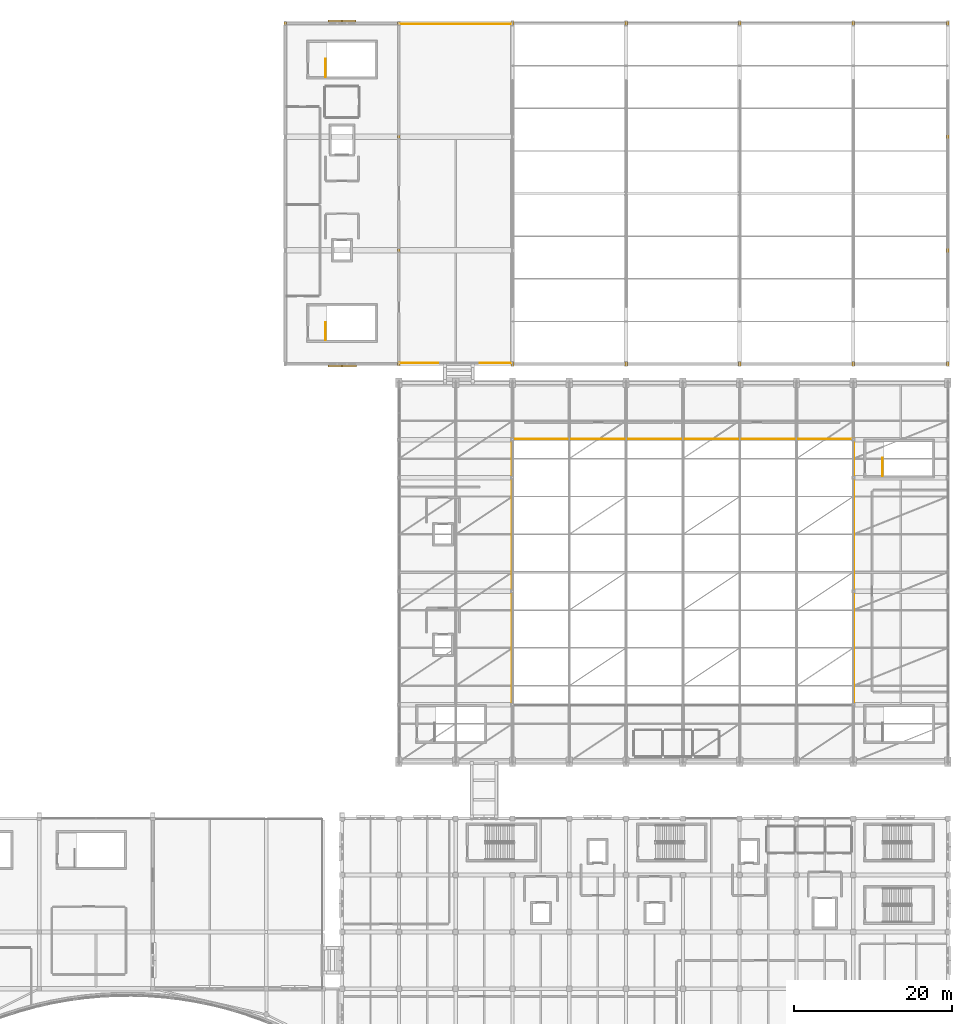
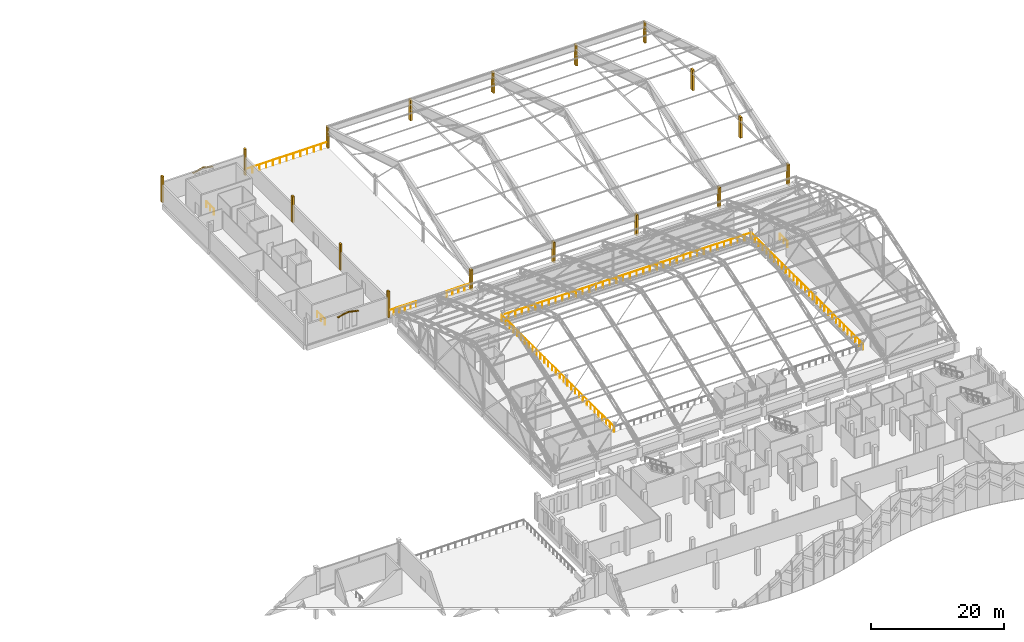
# One storey, part 115 of 116: 21 coverings, 9 railings.
"""IFC4 building model written with IfcOpenShell, lengths in metres."""

from ifc_helpers import new_model, si_unit, direction, frame, origin, origin_2d, place, context, subcontext, project, spatial, polyline, circle, outline, extrude, material, layer, layer_set, type_object, element, save


model = new_model("IFC4")

# Units and contexts
model_context = context("Model", 3, precision=1e-05, world=origin(), true_north=direction((0.0, 1.0)))
body_context = subcontext(model_context, "Body", "Model", "MODEL_VIEW")
ifc_project = project(units=[si_unit("LENGTHUNIT", "METRE"), si_unit("AREAUNIT", "SQUARE_METRE"), si_unit("VOLUMEUNIT", "CUBIC_METRE"), si_unit("PLANEANGLEUNIT", "RADIAN"), si_unit("MASSUNIT", "GRAM", prefix="KILO")], contexts=[model_context])

# Site, building, storey
site_placement = place(None, origin())
site = spatial("IfcSite", under=ifc_project, at=site_placement, CompositionType="ELEMENT")
building_placement = place(site_placement, origin())
building = spatial("IfcBuilding", under=site, at=building_placement, Name="Cendralis Lancet Convention Centre", CompositionType="ELEMENT")
storey_placement = place(building_placement, frame((0.0, 0.0, 15.0)))
storey = spatial("IfcBuildingStorey", under=building, at=storey_placement, Name="L03", CompositionType="ELEMENT", Elevation=15.0)

# Coverings
ifc_material_1 = material(Name="Warm buff sandstone chevron cassette", Category="masonry")
ifc_layer = layer(ifc_material_1, 0.06005859375, Name="Warm buff sandstone chevron cassette")
ifc_layer_set = layer_set([ifc_layer], Name="Warm buff sandstone chevron cassette")
covering_type = type_object("IfcCoveringType", Name="ARC-CV-CLAD1", PredefinedType="CLADDING", material=ifc_layer_set)
for number, where, z_axis, x_axis, name in (
    (1, (130.239990234375, 137.2099609375, 3.27001953125), (-0.214866981087, 0.0, 0.97664332304), (0.0, -1.0, 0.0), "L03 Gothic Pointed Lancet Hood-Mould #0219L"),
    (2, (132.010009765625, 137.2099609375, 3.655029296875), (0.214866981087, 0.0, 0.97664332304), (0.0, -1.0, 0.0), "L03 Gothic Pointed Lancet Hood-Mould #0220R"),
):
    element("IfcCovering", number, at=place(storey_placement, frame(where, z_axis=z_axis, x_axis=x_axis)), inside=storey, type_object=covering_type, Name=name, PredefinedType="CLADDING", context=body_context, shape_type="SweptSolid", body=[
        extrude(outline(polyline([(0.0, 0.0), (0.284912109375, 0.0), (0.284912109375, 1.791851701348808), (0.0, 1.791851701348808), (0.0, 0.0)])), origin(), (0.0, 0.0, -1.0), 0.090087890625),
    ])
for number, where, z_axis, x_axis, name in (
    (3, (133.800048828125, 93.18994140625, 3.27001953125), (0.210275726475, 0.0, 0.977642122075), (0.0, 1.0, 0.0), "L03 Gothic Pointed Lancet Hood-Mould #0221L"),
    (4, (131.989990234375, 93.18994140625, 3.655029296875), (-0.210275726475, 0.0, 0.977642122075), (0.0, 1.0, 0.0), "L03 Gothic Pointed Lancet Hood-Mould #0222R"),
):
    element("IfcCovering", number, at=place(storey_placement, frame(where, z_axis=z_axis, x_axis=x_axis)), inside=storey, type_object=covering_type, Name=name, PredefinedType="CLADDING", context=body_context, shape_type="SweptSolid", body=[
        extrude(outline(polyline([(0.0, 0.0), (0.28515625, 0.0), (0.28515625, 1.8309757958265032), (0.0, 1.8309757958265032), (0.0, 0.0)])), origin(), (0.0, 0.0, -1.0), 0.090087890625),
    ])
covering_1_placement = place(storey_placement, origin())
element("IfcCovering", 5, at=covering_1_placement, inside=storey, type_object=covering_type, Name="Exterior Column Stone Fire-Casing L03 #044", PredefinedType="CLADDING", context=body_context, shape_type="SweptSolid", body=[
    extrude(outline(polyline([(124.637939453125, 136.56298828125), (124.9619140625, 136.56298828125), (124.9619140625, 137.037109375), (124.637939453125, 137.037109375), (124.637939453125, 136.56298828125)])), origin(), (0.0, 0.0, 1.0), 4.800048828125),
])
covering_2_placement = place(storey_placement, origin())
element("IfcCovering", 6, at=covering_2_placement, inside=storey, type_object=covering_type, Name="Exterior Column Stone Fire-Casing L03 #047", PredefinedType="CLADDING", context=body_context, shape_type="SweptSolid", body=[
    extrude(outline(polyline([(139.0380859375, 93.363037109375), (139.362060546875, 93.363037109375), (139.362060546875, 93.8369140625), (139.0380859375, 93.8369140625), (139.0380859375, 93.363037109375)])), origin(), (0.0, 0.0, 1.0), 4.800048828125),
])
covering_3_placement = place(storey_placement, origin())
element("IfcCovering", 7, at=covering_3_placement, inside=storey, type_object=covering_type, Name="Exterior Column Stone Fire-Casing L03 #048", PredefinedType="CLADDING", context=body_context, shape_type="SweptSolid", body=[
    extrude(outline(polyline([(139.0380859375, 107.762939453125), (139.362060546875, 107.762939453125), (139.362060546875, 108.237060546875), (139.0380859375, 108.237060546875), (139.0380859375, 107.762939453125)])), origin(), (0.0, 0.0, 1.0), 4.800048828125),
])
covering_4_placement = place(storey_placement, origin())
element("IfcCovering", 8, at=covering_4_placement, inside=storey, type_object=covering_type, Name="Exterior Column Stone Fire-Casing L03 #049", PredefinedType="CLADDING", context=body_context, shape_type="SweptSolid", body=[
    extrude(outline(polyline([(139.0380859375, 122.1630859375), (139.362060546875, 122.1630859375), (139.362060546875, 122.636962890625), (139.0380859375, 122.636962890625), (139.0380859375, 122.1630859375)])), origin(), (0.0, 0.0, 1.0), 4.800048828125),
])
covering_5_placement = place(storey_placement, origin())
element("IfcCovering", 9, at=covering_5_placement, inside=storey, type_object=covering_type, Name="Exterior Column Stone Fire-Casing L03 #052", PredefinedType="CLADDING", context=body_context, shape_type="SweptSolid", body=[
    extrude(outline(polyline([(139.0380859375, 136.56298828125), (139.362060546875, 136.56298828125), (139.362060546875, 137.037109375), (139.0380859375, 137.037109375), (139.0380859375, 136.56298828125)])), origin(), (0.0, 0.0, 1.0), 4.800048828125),
])
covering_6_placement = place(storey_placement, origin())
element("IfcCovering", 10, at=covering_6_placement, inside=storey, type_object=covering_type, Name="Exterior Column Stone Fire-Casing L03 #055", PredefinedType="CLADDING", context=body_context, shape_type="SweptSolid", body=[
    extrude(outline(polyline([(153.43798828125, 93.2880859375), (153.761962890625, 93.2880859375), (153.761962890625, 93.912109375), (153.43798828125, 93.912109375), (153.43798828125, 93.2880859375)])), origin(), (0.0, 0.0, 1.0), 3.800048828125),
])
covering_7_placement = place(storey_placement, origin())
element("IfcCovering", 11, at=covering_7_placement, inside=storey, type_object=covering_type, Name="Exterior Column Stone Fire-Casing L03 #058", PredefinedType="CLADDING", context=body_context, shape_type="SweptSolid", body=[
    extrude(outline(polyline([(153.43798828125, 136.488037109375), (153.761962890625, 136.488037109375), (153.761962890625, 137.112060546875), (153.43798828125, 137.112060546875), (153.43798828125, 136.488037109375)])), origin(), (0.0, 0.0, 1.0), 3.800048828125),
])
covering_8_placement = place(storey_placement, origin())
element("IfcCovering", 12, at=covering_8_placement, inside=storey, type_object=covering_type, Name="Exterior Column Stone Fire-Casing L03 #061", PredefinedType="CLADDING", context=body_context, shape_type="SweptSolid", body=[
    extrude(outline(polyline([(167.837890625, 93.2880859375), (168.162109375, 93.2880859375), (168.162109375, 93.912109375), (167.837890625, 93.912109375), (167.837890625, 93.2880859375)])), origin(), (0.0, 0.0, 1.0), 3.800048828125),
])
covering_9_placement = place(storey_placement, origin())
element("IfcCovering", 13, at=covering_9_placement, inside=storey, type_object=covering_type, Name="Exterior Column Stone Fire-Casing L03 #064", PredefinedType="CLADDING", context=body_context, shape_type="SweptSolid", body=[
    extrude(outline(polyline([(167.837890625, 136.488037109375), (168.162109375, 136.488037109375), (168.162109375, 137.112060546875), (167.837890625, 137.112060546875), (167.837890625, 136.488037109375)])), origin(), (0.0, 0.0, 1.0), 3.800048828125),
])
covering_10_placement = place(storey_placement, origin())
element("IfcCovering", 14, at=covering_10_placement, inside=storey, type_object=covering_type, Name="Exterior Column Stone Fire-Casing L03 #067", PredefinedType="CLADDING", context=body_context, shape_type="SweptSolid", body=[
    extrude(outline(polyline([(182.238037109375, 93.2880859375), (182.56201171875, 93.2880859375), (182.56201171875, 93.912109375), (182.238037109375, 93.912109375), (182.238037109375, 93.2880859375)])), origin(), (0.0, 0.0, 1.0), 3.800048828125),
])
covering_11_placement = place(storey_placement, origin())
element("IfcCovering", 15, at=covering_11_placement, inside=storey, type_object=covering_type, Name="Exterior Column Stone Fire-Casing L03 #070", PredefinedType="CLADDING", context=body_context, shape_type="SweptSolid", body=[
    extrude(outline(polyline([(182.238037109375, 136.488037109375), (182.56201171875, 136.488037109375), (182.56201171875, 137.112060546875), (182.238037109375, 137.112060546875), (182.238037109375, 136.488037109375)])), origin(), (0.0, 0.0, 1.0), 3.800048828125),
])
covering_12_placement = place(storey_placement, origin())
element("IfcCovering", 16, at=covering_12_placement, inside=storey, type_object=covering_type, Name="Exterior Column Stone Fire-Casing L03 #073", PredefinedType="CLADDING", context=body_context, shape_type="SweptSolid", body=[
    extrude(outline(polyline([(196.637939453125, 93.2880859375), (196.9619140625, 93.2880859375), (196.9619140625, 93.912109375), (196.637939453125, 93.912109375), (196.637939453125, 93.2880859375)])), origin(), (0.0, 0.0, 1.0), 3.800048828125),
])
covering_13_placement = place(storey_placement, origin())
element("IfcCovering", 17, at=covering_13_placement, inside=storey, type_object=covering_type, Name="Exterior Column Stone Fire-Casing L03 #076", PredefinedType="CLADDING", context=body_context, shape_type="SweptSolid", body=[
    extrude(outline(polyline([(196.637939453125, 136.488037109375), (196.9619140625, 136.488037109375), (196.9619140625, 137.112060546875), (196.637939453125, 137.112060546875), (196.637939453125, 136.488037109375)])), origin(), (0.0, 0.0, 1.0), 3.800048828125),
])
covering_14_placement = place(storey_placement, origin())
element("IfcCovering", 18, at=covering_14_placement, inside=storey, type_object=covering_type, Name="Exterior Column Stone Fire-Casing L03 #079", PredefinedType="CLADDING", context=body_context, shape_type="SweptSolid", body=[
    extrude(outline(polyline([(208.637939453125, 93.2880859375), (208.9619140625, 93.2880859375), (208.9619140625, 93.912109375), (208.637939453125, 93.912109375), (208.637939453125, 93.2880859375)])), origin(), (0.0, 0.0, 1.0), 3.800048828125),
])
covering_15_placement = place(storey_placement, origin())
element("IfcCovering", 19, at=covering_15_placement, inside=storey, type_object=covering_type, Name="Exterior Column Stone Fire-Casing L03 #082", PredefinedType="CLADDING", context=body_context, shape_type="SweptSolid", body=[
    extrude(outline(polyline([(208.637939453125, 107.68798828125), (208.9619140625, 107.68798828125), (208.9619140625, 108.31201171875), (208.637939453125, 108.31201171875), (208.637939453125, 107.68798828125)])), origin(), (0.0, 0.0, 1.0), 3.800048828125),
])
covering_16_placement = place(storey_placement, origin())
element("IfcCovering", 20, at=covering_16_placement, inside=storey, type_object=covering_type, Name="Exterior Column Stone Fire-Casing L03 #085", PredefinedType="CLADDING", context=body_context, shape_type="SweptSolid", body=[
    extrude(outline(polyline([(208.637939453125, 122.087890625), (208.9619140625, 122.087890625), (208.9619140625, 122.7119140625), (208.637939453125, 122.7119140625), (208.637939453125, 122.087890625)])), origin(), (0.0, 0.0, 1.0), 3.800048828125),
])
covering_17_placement = place(storey_placement, origin())
element("IfcCovering", 21, at=covering_17_placement, inside=storey, type_object=covering_type, Name="Exterior Column Stone Fire-Casing L03 #088", PredefinedType="CLADDING", context=body_context, shape_type="SweptSolid", body=[
    extrude(outline(polyline([(208.637939453125, 136.488037109375), (208.9619140625, 136.488037109375), (208.9619140625, 137.112060546875), (208.637939453125, 137.112060546875), (208.637939453125, 136.488037109375)])), origin(), (0.0, 0.0, 1.0), 3.800048828125),
])

# Railings
ifc_material_2 = material(Name="Anodised bronze architectural aluminium", Category="aluminium")
railing_type_1 = type_object("IfcRailingType", Name="ARC-RL-BL01", PredefinedType="BALUSTRADE", material=ifc_material_2)
railing_1_placement = place(storey_placement, frame((139.25, 93.719970703125, 0.0)))
element("IfcRailing", 22, at=railing_1_placement, inside=storey, type_object=railing_type_1, Name="L03 Terrace Guard BL-01 #01-1", PredefinedType="BALUSTRADE", context=body_context, shape_type="SweptSolid", body=[
    extrude(circle(Radius=0.02392578125, at=origin_2d()), frame((0.0, 0.0, 1.076171875), z_axis=(1.0, 0.0, 0.0), x_axis=(0.0, 1.0, 0.0)), (0.0, 0.0, 1.0), 4.89990234375),
    extrude(circle(Radius=0.02099609375, at=origin_2d()), origin(), (0.0, 0.0, 1.0), 1.052001953125),
    extrude(circle(Radius=0.02099609375, at=origin_2d()), frame((0.97998046875, 0.0, 0.0)), (0.0, 0.0, 1.0), 1.052001953125),
    extrude(circle(Radius=0.02099609375, at=origin_2d()), frame((1.9599609375, 0.0, 0.0)), (0.0, 0.0, 1.0), 1.052001953125),
    extrude(circle(Radius=0.02099609375, at=origin_2d()), frame((2.93994140625, 0.0, 0.0)), (0.0, 0.0, 1.0), 1.052001953125),
    extrude(circle(Radius=0.02099609375, at=origin_2d()), frame((3.919921875, 0.0, 0.0)), (0.0, 0.0, 1.0), 1.052001953125),
    extrude(circle(Radius=0.02099609375, at=origin_2d()), frame((4.89990234375, 0.0, 0.0)), (0.0, 0.0, 1.0), 1.052001953125),
])
railing_2_placement = place(storey_placement, frame((149.449951171875, 93.719970703125, 0.0)))
element("IfcRailing", 23, at=railing_2_placement, inside=storey, type_object=railing_type_1, Name="L03 Terrace Guard BL-01 #02-1", PredefinedType="BALUSTRADE", context=body_context, shape_type="SweptSolid", body=[
    extrude(circle(Radius=0.02392578125, at=origin_2d()), frame((0.0, 0.0, 1.076171875), z_axis=(1.0, 0.0, 0.0), x_axis=(0.0, 1.0, 0.0)), (0.0, 0.0, 1.0), 4.10009765625),
    extrude(circle(Radius=0.02099609375, at=origin_2d()), origin(), (0.0, 0.0, 1.0), 1.052001953125),
    extrude(circle(Radius=0.02099609375, at=origin_2d()), frame((1.02490234375, 0.0, 0.0)), (0.0, 0.0, 1.0), 1.052001953125),
    extrude(circle(Radius=0.02099609375, at=origin_2d()), frame((2.050048828125, 0.0, 0.0)), (0.0, 0.0, 1.0), 1.052001953125),
    extrude(circle(Radius=0.02099609375, at=origin_2d()), frame((3.0751953125, 0.0, 0.0)), (0.0, 0.0, 1.0), 1.052001953125),
    extrude(circle(Radius=0.02099609375, at=origin_2d()), frame((4.10009765625, 0.0, 0.0)), (0.0, 0.0, 1.0), 1.052001953125),
])
railing_3_placement = place(storey_placement, frame((139.25, 136.679931640625, 0.0)))
element("IfcRailing", 24, at=railing_3_placement, inside=storey, type_object=railing_type_1, Name="L03 Terrace Guard BL-01 #03-1", PredefinedType="BALUSTRADE", context=body_context, shape_type="SweptSolid", body=[
    extrude(circle(Radius=0.02392578125, at=origin_2d()), frame((0.0, 0.0, 1.076171875), z_axis=(1.0, 0.0, 0.0), x_axis=(0.0, 1.0, 0.0)), (0.0, 0.0, 1.0), 14.300048828125),
    extrude(circle(Radius=0.02099609375, at=origin_2d()), origin(), (0.0, 0.0, 1.0), 1.052001953125),
    extrude(circle(Radius=0.02099609375, at=origin_2d()), frame((1.191650390625, 0.0, 0.0)), (0.0, 0.0, 1.0), 1.052001953125),
    extrude(circle(Radius=0.02099609375, at=origin_2d()), frame((2.38330078125, 0.0, 0.0)), (0.0, 0.0, 1.0), 1.052001953125),
    extrude(circle(Radius=0.02099609375, at=origin_2d()), frame((3.574951171875, 0.0, 0.0)), (0.0, 0.0, 1.0), 1.052001953125),
    extrude(circle(Radius=0.02099609375, at=origin_2d()), frame((4.7666015625, 0.0, 0.0)), (0.0, 0.0, 1.0), 1.052001953125),
    extrude(circle(Radius=0.02099609375, at=origin_2d()), frame((5.958251953125, 0.0, 0.0)), (0.0, 0.0, 1.0), 1.052001953125),
    extrude(circle(Radius=0.02099609375, at=origin_2d()), frame((7.14990234375, 0.0, 0.0)), (0.0, 0.0, 1.0), 1.052001953125),
    extrude(circle(Radius=0.02099609375, at=origin_2d()), frame((8.341796875, 0.0, 0.0)), (0.0, 0.0, 1.0), 1.052001953125),
    extrude(circle(Radius=0.02099609375, at=origin_2d()), frame((9.533447265625, 0.0, 0.0)), (0.0, 0.0, 1.0), 1.052001953125),
    extrude(circle(Radius=0.02099609375, at=origin_2d()), frame((10.72509765625, 0.0, 0.0)), (0.0, 0.0, 1.0), 1.052001953125),
    extrude(circle(Radius=0.02099609375, at=origin_2d()), frame((11.916748046875, 0.0, 0.0)), (0.0, 0.0, 1.0), 1.052001953125),
    extrude(circle(Radius=0.02099609375, at=origin_2d()), frame((13.1083984375, 0.0, 0.0)), (0.0, 0.0, 1.0), 1.052001953125),
    extrude(circle(Radius=0.02099609375, at=origin_2d()), frame((14.300048828125, 0.0, 0.0)), (0.0, 0.0, 1.0), 1.052001953125),
])
ifc_material_3 = material(Name="Steel S355", Category="steel")
railing_type_2 = type_object("IfcRailingType", Name="ARC-RL-CGD", PredefinedType="GUARDRAIL", material=ifc_material_3)
railing_4_placement = place(storey_placement, frame((129.89990234375, 130.0, 0.0)))
element("IfcRailing", 25, at=railing_4_placement, inside=storey, type_object=railing_type_2, Name="L03 ST-05 top well guard 1", PredefinedType="GUARDRAIL", context=body_context, shape_type="SweptSolid", body=[
    extrude(circle(Radius=0.02392578125, at=origin_2d()), frame((0.0, 0.0, 1.076171875), z_axis=(0.0, 1.0, 0.0), x_axis=(-1.0, 0.0, 0.0)), (0.0, 0.0, 1.0), 2.280029296875),
    extrude(circle(Radius=0.02099609375, at=origin_2d()), origin(), (0.0, 0.0, 1.0), 1.052001953125),
    extrude(circle(Radius=0.02099609375, at=origin_2d()), frame((0.0, 1.14013671875, 0.0)), (0.0, 0.0, 1.0), 1.052001953125),
    extrude(circle(Radius=0.02099609375, at=origin_2d()), frame((0.0, 2.280029296875, 0.0)), (0.0, 0.0, 1.0), 1.052001953125),
])
railing_5_placement = place(storey_placement, frame((129.89990234375, 96.60009765625, 0.0)))
element("IfcRailing", 26, at=railing_5_placement, inside=storey, type_object=railing_type_2, Name="L03 ST-07 top well guard 1", PredefinedType="GUARDRAIL", context=body_context, shape_type="SweptSolid", body=[
    extrude(circle(Radius=0.02392578125, at=origin_2d()), frame((0.0, 0.0, 1.076171875), z_axis=(0.0, 1.0, 0.0), x_axis=(-1.0, 0.0, 0.0)), (0.0, 0.0, 1.0), 2.27978515625),
    extrude(circle(Radius=0.02099609375, at=origin_2d()), origin(), (0.0, 0.0, 1.0), 1.052001953125),
    extrude(circle(Radius=0.02099609375, at=origin_2d()), frame((0.0, 1.139892578125, 0.0)), (0.0, 0.0, 1.0), 1.052001953125),
    extrude(circle(Radius=0.02099609375, at=origin_2d()), frame((0.0, 2.27978515625, 0.0)), (0.0, 0.0, 1.0), 1.052001953125),
])
railing_6_placement = place(storey_placement, frame((200.5, 79.39990234375, 0.0)))
element("IfcRailing", 27, at=railing_6_placement, inside=storey, type_object=railing_type_2, Name="L03 ST-10 top well guard 1", PredefinedType="GUARDRAIL", context=body_context, shape_type="SweptSolid", body=[
    extrude(circle(Radius=0.02392578125, at=origin_2d()), frame((0.0, 0.0, 1.076171875), z_axis=(0.0, 1.0, 0.0), x_axis=(-1.0, 0.0, 0.0)), (0.0, 0.0, 1.0), 2.280029296875),
    extrude(circle(Radius=0.02099609375, at=origin_2d()), origin(), (0.0, 0.0, 1.0), 1.052001953125),
    extrude(circle(Radius=0.02099609375, at=origin_2d()), frame((0.0, 1.14013671875, 0.0)), (0.0, 0.0, 1.0), 1.052001953125),
    extrude(circle(Radius=0.02099609375, at=origin_2d()), frame((0.0, 2.280029296875, 0.0)), (0.0, 0.0, 1.0), 1.052001953125),
])
railing_type_3 = type_object("IfcRailingType", Name="ARC-RL-IG01", PredefinedType="GUARDRAIL", material=ifc_material_3)
railing_7_placement = place(storey_placement, frame((196.89990234375, 50.300048828125, 0.0)))
element("IfcRailing", 28, at=railing_7_placement, inside=storey, type_object=railing_type_3, Name="L03 Atrium Void Guardrail GD-IN1 #014", PredefinedType="GUARDRAIL", context=body_context, shape_type="SweptSolid", body=[
    extrude(circle(Radius=0.02392578125, at=origin_2d()), frame((0.0, 0.0, 1.076171875), z_axis=(0.0, 1.0, 0.0), x_axis=(-1.0, 0.0, 0.0)), (0.0, 0.0, 1.0), 33.800048828125),
    extrude(circle(Radius=0.02099609375, at=origin_2d()), origin(), (0.0, 0.0, 1.0), 1.052001953125),
    extrude(circle(Radius=0.02099609375, at=origin_2d()), frame((0.0, 1.16552734375, 0.0)), (0.0, 0.0, 1.0), 1.052001953125),
    extrude(circle(Radius=0.02099609375, at=origin_2d()), frame((0.0, 2.3310546875, 0.0)), (0.0, 0.0, 1.0), 1.052001953125),
    extrude(circle(Radius=0.02099609375, at=origin_2d()), frame((0.0, 3.49658203125, 0.0)), (0.0, 0.0, 1.0), 1.052001953125),
    extrude(circle(Radius=0.02099609375, at=origin_2d()), frame((0.0, 4.662109375, 0.0)), (0.0, 0.0, 1.0), 1.052001953125),
    extrude(circle(Radius=0.02099609375, at=origin_2d()), frame((0.0, 5.82763671875, 0.0)), (0.0, 0.0, 1.0), 1.052001953125),
    extrude(circle(Radius=0.02099609375, at=origin_2d()), frame((0.0, 6.9931640625, 0.0)), (0.0, 0.0, 1.0), 1.052001953125),
    extrude(circle(Radius=0.02099609375, at=origin_2d()), frame((0.0, 8.15869140625, 0.0)), (0.0, 0.0, 1.0), 1.052001953125),
    extrude(circle(Radius=0.02099609375, at=origin_2d()), frame((0.0, 9.32421875, 0.0)), (0.0, 0.0, 1.0), 1.052001953125),
    extrude(circle(Radius=0.02099609375, at=origin_2d()), frame((0.0, 10.48974609375, 0.0)), (0.0, 0.0, 1.0), 1.052001953125),
    extrude(circle(Radius=0.02099609375, at=origin_2d()), frame((0.0, 11.6552734375, 0.0)), (0.0, 0.0, 1.0), 1.052001953125),
    extrude(circle(Radius=0.02099609375, at=origin_2d()), frame((0.0, 12.82080078125, 0.0)), (0.0, 0.0, 1.0), 1.052001953125),
    extrude(circle(Radius=0.02099609375, at=origin_2d()), frame((0.0, 13.986328125, 0.0)), (0.0, 0.0, 1.0), 1.052001953125),
    extrude(circle(Radius=0.02099609375, at=origin_2d()), frame((0.0, 15.15185546875, 0.0)), (0.0, 0.0, 1.0), 1.052001953125),
    extrude(circle(Radius=0.02099609375, at=origin_2d()), frame((0.0, 16.3173828125, 0.0)), (0.0, 0.0, 1.0), 1.052001953125),
    extrude(circle(Radius=0.02099609375, at=origin_2d()), frame((0.0, 17.482666015625, 0.0)), (0.0, 0.0, 1.0), 1.052001953125),
    extrude(circle(Radius=0.02099609375, at=origin_2d()), frame((0.0, 18.648193359375, 0.0)), (0.0, 0.0, 1.0), 1.052001953125),
    extrude(circle(Radius=0.02099609375, at=origin_2d()), frame((0.0, 19.813720703125, 0.0)), (0.0, 0.0, 1.0), 1.052001953125),
    extrude(circle(Radius=0.02099609375, at=origin_2d()), frame((0.0, 20.979248046875, 0.0)), (0.0, 0.0, 1.0), 1.052001953125),
    extrude(circle(Radius=0.02099609375, at=origin_2d()), frame((0.0, 22.144775390625, 0.0)), (0.0, 0.0, 1.0), 1.052001953125),
    extrude(circle(Radius=0.02099609375, at=origin_2d()), frame((0.0, 23.310302734375, 0.0)), (0.0, 0.0, 1.0), 1.052001953125),
    extrude(circle(Radius=0.02099609375, at=origin_2d()), frame((0.0, 24.475830078125, 0.0)), (0.0, 0.0, 1.0), 1.052001953125),
    extrude(circle(Radius=0.02099609375, at=origin_2d()), frame((0.0, 25.641357421875, 0.0)), (0.0, 0.0, 1.0), 1.052001953125),
    extrude(circle(Radius=0.02099609375, at=origin_2d()), frame((0.0, 26.806884765625, 0.0)), (0.0, 0.0, 1.0), 1.052001953125),
    extrude(circle(Radius=0.02099609375, at=origin_2d()), frame((0.0, 27.972412109375, 0.0)), (0.0, 0.0, 1.0), 1.052001953125),
    extrude(circle(Radius=0.02099609375, at=origin_2d()), frame((0.0, 29.137939453125, 0.0)), (0.0, 0.0, 1.0), 1.052001953125),
    extrude(circle(Radius=0.02099609375, at=origin_2d()), frame((0.0, 30.303466796875, 0.0)), (0.0, 0.0, 1.0), 1.052001953125),
    extrude(circle(Radius=0.02099609375, at=origin_2d()), frame((0.0, 31.468994140625, 0.0)), (0.0, 0.0, 1.0), 1.052001953125),
    extrude(circle(Radius=0.02099609375, at=origin_2d()), frame((0.0, 32.634521484375, 0.0)), (0.0, 0.0, 1.0), 1.052001953125),
    extrude(circle(Radius=0.02099609375, at=origin_2d()), frame((0.0, 33.800048828125, 0.0)), (0.0, 0.0, 1.0), 1.052001953125),
])
railing_8_placement = place(storey_placement, frame((196.89990234375, 84.10009765625, 0.0)))
element("IfcRailing", 29, at=railing_8_placement, inside=storey, type_object=railing_type_3, Name="L03 Atrium Void Guardrail GD-IN1 #015", PredefinedType="GUARDRAIL", context=body_context, shape_type="SweptSolid", body=[
    extrude(circle(Radius=0.02392578125, at=origin_2d()), frame((0.0, 0.0, 1.076171875), z_axis=(-1.0, 0.0, 0.0), x_axis=(0.0, -1.0, 0.0)), (0.0, 0.0, 1.0), 43.39990234375),
    extrude(circle(Radius=0.02099609375, at=origin_2d()), origin(), (0.0, 0.0, 1.0), 1.052001953125),
    extrude(circle(Radius=0.02099609375, at=origin_2d()), frame((-1.1728515625, 0.0, 0.0)), (0.0, 0.0, 1.0), 1.052001953125),
    extrude(circle(Radius=0.02099609375, at=origin_2d()), frame((-2.345947265625, 0.0, 0.0)), (0.0, 0.0, 1.0), 1.052001953125),
    extrude(circle(Radius=0.02099609375, at=origin_2d()), frame((-3.518798828125, 0.0, 0.0)), (0.0, 0.0, 1.0), 1.052001953125),
    extrude(circle(Radius=0.02099609375, at=origin_2d()), frame((-4.69189453125, 0.0, 0.0)), (0.0, 0.0, 1.0), 1.052001953125),
    extrude(circle(Radius=0.02099609375, at=origin_2d()), frame((-5.86474609375, 0.0, 0.0)), (0.0, 0.0, 1.0), 1.052001953125),
    extrude(circle(Radius=0.02099609375, at=origin_2d()), frame((-7.037841796875, 0.0, 0.0)), (0.0, 0.0, 1.0), 1.052001953125),
    extrude(circle(Radius=0.02099609375, at=origin_2d()), frame((-8.210693359375, 0.0, 0.0)), (0.0, 0.0, 1.0), 1.052001953125),
    extrude(circle(Radius=0.02099609375, at=origin_2d()), frame((-9.3837890625, 0.0, 0.0)), (0.0, 0.0, 1.0), 1.052001953125),
    extrude(circle(Radius=0.02099609375, at=origin_2d()), frame((-10.556640625, 0.0, 0.0)), (0.0, 0.0, 1.0), 1.052001953125),
    extrude(circle(Radius=0.02099609375, at=origin_2d()), frame((-11.729736328125, 0.0, 0.0)), (0.0, 0.0, 1.0), 1.052001953125),
    extrude(circle(Radius=0.02099609375, at=origin_2d()), frame((-12.902587890625, 0.0, 0.0)), (0.0, 0.0, 1.0), 1.052001953125),
    extrude(circle(Radius=0.02099609375, at=origin_2d()), frame((-14.07568359375, 0.0, 0.0)), (0.0, 0.0, 1.0), 1.052001953125),
    extrude(circle(Radius=0.02099609375, at=origin_2d()), frame((-15.24853515625, 0.0, 0.0)), (0.0, 0.0, 1.0), 1.052001953125),
    extrude(circle(Radius=0.02099609375, at=origin_2d()), frame((-16.421630859375, 0.0, 0.0)), (0.0, 0.0, 1.0), 1.052001953125),
    extrude(circle(Radius=0.02099609375, at=origin_2d()), frame((-17.594482421875, 0.0, 0.0)), (0.0, 0.0, 1.0), 1.052001953125),
    extrude(circle(Radius=0.02099609375, at=origin_2d()), frame((-18.767578125, 0.0, 0.0)), (0.0, 0.0, 1.0), 1.052001953125),
    extrude(circle(Radius=0.02099609375, at=origin_2d()), frame((-19.9404296875, 0.0, 0.0)), (0.0, 0.0, 1.0), 1.052001953125),
    extrude(circle(Radius=0.02099609375, at=origin_2d()), frame((-21.113525390625, 0.0, 0.0)), (0.0, 0.0, 1.0), 1.052001953125),
    extrude(circle(Radius=0.02099609375, at=origin_2d()), frame((-22.286376953125, 0.0, 0.0)), (0.0, 0.0, 1.0), 1.052001953125),
    extrude(circle(Radius=0.02099609375, at=origin_2d()), frame((-23.45947265625, 0.0, 0.0)), (0.0, 0.0, 1.0), 1.052001953125),
    extrude(circle(Radius=0.02099609375, at=origin_2d()), frame((-24.63232421875, 0.0, 0.0)), (0.0, 0.0, 1.0), 1.052001953125),
    extrude(circle(Radius=0.02099609375, at=origin_2d()), frame((-25.805419921875, 0.0, 0.0)), (0.0, 0.0, 1.0), 1.052001953125),
    extrude(circle(Radius=0.02099609375, at=origin_2d()), frame((-26.978271484375, 0.0, 0.0)), (0.0, 0.0, 1.0), 1.052001953125),
    extrude(circle(Radius=0.02099609375, at=origin_2d()), frame((-28.1513671875, 0.0, 0.0)), (0.0, 0.0, 1.0), 1.052001953125),
    extrude(circle(Radius=0.02099609375, at=origin_2d()), frame((-29.32421875, 0.0, 0.0)), (0.0, 0.0, 1.0), 1.052001953125),
    extrude(circle(Radius=0.02099609375, at=origin_2d()), frame((-30.497314453125, 0.0, 0.0)), (0.0, 0.0, 1.0), 1.052001953125),
    extrude(circle(Radius=0.02099609375, at=origin_2d()), frame((-31.670166015625, 0.0, 0.0)), (0.0, 0.0, 1.0), 1.052001953125),
    extrude(circle(Radius=0.02099609375, at=origin_2d()), frame((-32.84326171875, 0.0, 0.0)), (0.0, 0.0, 1.0), 1.052001953125),
    extrude(circle(Radius=0.02099609375, at=origin_2d()), frame((-34.01611328125, 0.0, 0.0)), (0.0, 0.0, 1.0), 1.052001953125),
    extrude(circle(Radius=0.02099609375, at=origin_2d()), frame((-35.189208984375, 0.0, 0.0)), (0.0, 0.0, 1.0), 1.052001953125),
    extrude(circle(Radius=0.02099609375, at=origin_2d()), frame((-36.362060546875, 0.0, 0.0)), (0.0, 0.0, 1.0), 1.052001953125),
    extrude(circle(Radius=0.02099609375, at=origin_2d()), frame((-37.53515625, 0.0, 0.0)), (0.0, 0.0, 1.0), 1.052001953125),
    extrude(circle(Radius=0.02099609375, at=origin_2d()), frame((-38.7080078125, 0.0, 0.0)), (0.0, 0.0, 1.0), 1.052001953125),
    extrude(circle(Radius=0.02099609375, at=origin_2d()), frame((-39.881103515625, 0.0, 0.0)), (0.0, 0.0, 1.0), 1.052001953125),
    extrude(circle(Radius=0.02099609375, at=origin_2d()), frame((-41.053955078125, 0.0, 0.0)), (0.0, 0.0, 1.0), 1.052001953125),
    extrude(circle(Radius=0.02099609375, at=origin_2d()), frame((-42.22705078125, 0.0, 0.0)), (0.0, 0.0, 1.0), 1.052001953125),
    extrude(circle(Radius=0.02099609375, at=origin_2d()), frame((-43.39990234375, 0.0, 0.0)), (0.0, 0.0, 1.0), 1.052001953125),
])
railing_9_placement = place(storey_placement, frame((153.5, 84.10009765625, 0.0)))
element("IfcRailing", 30, at=railing_9_placement, inside=storey, type_object=railing_type_3, Name="L03 Atrium Void Guardrail GD-IN1 #016", PredefinedType="GUARDRAIL", context=body_context, shape_type="SweptSolid", body=[
    extrude(circle(Radius=0.02392578125, at=origin_2d()), frame((0.0, 0.0, 1.076171875), z_axis=(0.0, -1.0, 0.0), x_axis=(1.0, 0.0, 0.0)), (0.0, 0.0, 1.0), 33.800048828125),
    extrude(circle(Radius=0.02099609375, at=origin_2d()), origin(), (0.0, 0.0, 1.0), 1.052001953125),
    extrude(circle(Radius=0.02099609375, at=origin_2d()), frame((0.0, -1.16552734375, 0.0)), (0.0, 0.0, 1.0), 1.052001953125),
    extrude(circle(Radius=0.02099609375, at=origin_2d()), frame((0.0, -2.3310546875, 0.0)), (0.0, 0.0, 1.0), 1.052001953125),
    extrude(circle(Radius=0.02099609375, at=origin_2d()), frame((0.0, -3.49658203125, 0.0)), (0.0, 0.0, 1.0), 1.052001953125),
    extrude(circle(Radius=0.02099609375, at=origin_2d()), frame((0.0, -4.662109375, 0.0)), (0.0, 0.0, 1.0), 1.052001953125),
    extrude(circle(Radius=0.02099609375, at=origin_2d()), frame((0.0, -5.82763671875, 0.0)), (0.0, 0.0, 1.0), 1.052001953125),
    extrude(circle(Radius=0.02099609375, at=origin_2d()), frame((0.0, -6.9931640625, 0.0)), (0.0, 0.0, 1.0), 1.052001953125),
    extrude(circle(Radius=0.02099609375, at=origin_2d()), frame((0.0, -8.15869140625, 0.0)), (0.0, 0.0, 1.0), 1.052001953125),
    extrude(circle(Radius=0.02099609375, at=origin_2d()), frame((0.0, -9.32421875, 0.0)), (0.0, 0.0, 1.0), 1.052001953125),
    extrude(circle(Radius=0.02099609375, at=origin_2d()), frame((0.0, -10.48974609375, 0.0)), (0.0, 0.0, 1.0), 1.052001953125),
    extrude(circle(Radius=0.02099609375, at=origin_2d()), frame((0.0, -11.6552734375, 0.0)), (0.0, 0.0, 1.0), 1.052001953125),
    extrude(circle(Radius=0.02099609375, at=origin_2d()), frame((0.0, -12.82080078125, 0.0)), (0.0, 0.0, 1.0), 1.052001953125),
    extrude(circle(Radius=0.02099609375, at=origin_2d()), frame((0.0, -13.986328125, 0.0)), (0.0, 0.0, 1.0), 1.052001953125),
    extrude(circle(Radius=0.02099609375, at=origin_2d()), frame((0.0, -15.15185546875, 0.0)), (0.0, 0.0, 1.0), 1.052001953125),
    extrude(circle(Radius=0.02099609375, at=origin_2d()), frame((0.0, -16.3173828125, 0.0)), (0.0, 0.0, 1.0), 1.052001953125),
    extrude(circle(Radius=0.02099609375, at=origin_2d()), frame((0.0, -17.482666015625, 0.0)), (0.0, 0.0, 1.0), 1.052001953125),
    extrude(circle(Radius=0.02099609375, at=origin_2d()), frame((0.0, -18.648193359375, 0.0)), (0.0, 0.0, 1.0), 1.052001953125),
    extrude(circle(Radius=0.02099609375, at=origin_2d()), frame((0.0, -19.813720703125, 0.0)), (0.0, 0.0, 1.0), 1.052001953125),
    extrude(circle(Radius=0.02099609375, at=origin_2d()), frame((0.0, -20.979248046875, 0.0)), (0.0, 0.0, 1.0), 1.052001953125),
    extrude(circle(Radius=0.02099609375, at=origin_2d()), frame((0.0, -22.144775390625, 0.0)), (0.0, 0.0, 1.0), 1.052001953125),
    extrude(circle(Radius=0.02099609375, at=origin_2d()), frame((0.0, -23.310302734375, 0.0)), (0.0, 0.0, 1.0), 1.052001953125),
    extrude(circle(Radius=0.02099609375, at=origin_2d()), frame((0.0, -24.475830078125, 0.0)), (0.0, 0.0, 1.0), 1.052001953125),
    extrude(circle(Radius=0.02099609375, at=origin_2d()), frame((0.0, -25.641357421875, 0.0)), (0.0, 0.0, 1.0), 1.052001953125),
    extrude(circle(Radius=0.02099609375, at=origin_2d()), frame((0.0, -26.806884765625, 0.0)), (0.0, 0.0, 1.0), 1.052001953125),
    extrude(circle(Radius=0.02099609375, at=origin_2d()), frame((0.0, -27.972412109375, 0.0)), (0.0, 0.0, 1.0), 1.052001953125),
    extrude(circle(Radius=0.02099609375, at=origin_2d()), frame((0.0, -29.137939453125, 0.0)), (0.0, 0.0, 1.0), 1.052001953125),
    extrude(circle(Radius=0.02099609375, at=origin_2d()), frame((0.0, -30.303466796875, 0.0)), (0.0, 0.0, 1.0), 1.052001953125),
    extrude(circle(Radius=0.02099609375, at=origin_2d()), frame((0.0, -31.468994140625, 0.0)), (0.0, 0.0, 1.0), 1.052001953125),
    extrude(circle(Radius=0.02099609375, at=origin_2d()), frame((0.0, -32.634521484375, 0.0)), (0.0, 0.0, 1.0), 1.052001953125),
    extrude(circle(Radius=0.02099609375, at=origin_2d()), frame((0.0, -33.800048828125, 0.0)), (0.0, 0.0, 1.0), 1.052001953125),
])

save(model, "model.ifc")
